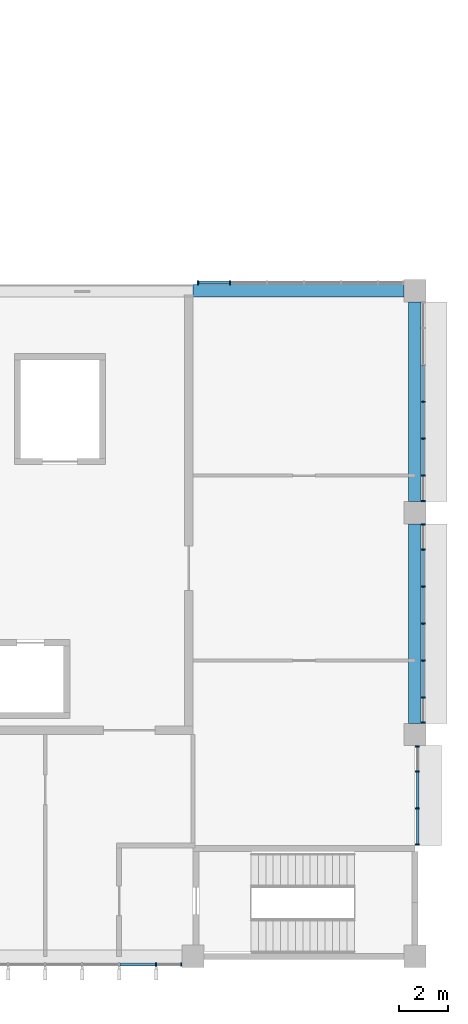
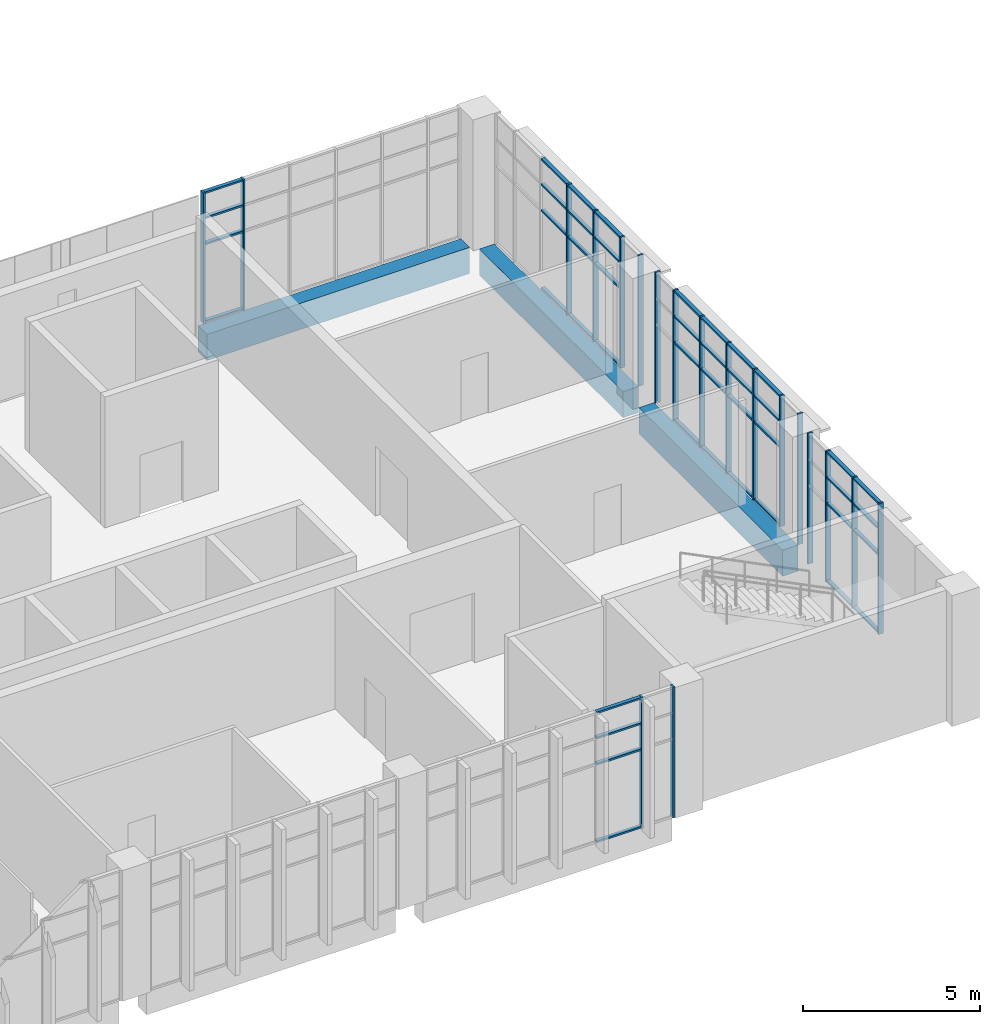
# One storey, part 36 of 79: 63 members, 3 beams, 5 elements without a shape of their own.
"""IFC4 building model written with IfcOpenShell, lengths in metres."""

import ifcopenshell
import ifcopenshell.guid

model = None  # the IFC model being written
_history = None  # IfcOwnerHistory: only IFC2X3 demands one
_inside = {}  # id of a spatial element -> (the spatial element, [elements in it])
_under = {}  # id of a project, library or spatial element -> (it, [spatial elements below it])
_declared = {}  # id of a project -> (the project, [libraries it declares])
_typed = {}  # id of a type object -> (the type object, [elements of that type])
_made_of = {}  # id of a material, layer set ... -> (it, [elements and type objects made of it])


def new_model(schema):
    """Start an empty IFC model of exactly this schema.

    Asked for "IFC4X3", IfcOpenShell would pick the latest addendum, in which some entities
    have other attributes; the version numbers below select the first issue.
    IFC2X3 requires an IfcOwnerHistory on every rooted entity: one is made here for all.
    """
    global model, _history
    if schema == "IFC4X3":
        model = ifcopenshell.file(schema_version=(4, 3, 0, 0))
    else:
        model = ifcopenshell.file(schema=schema)
    _inside.clear()
    _under.clear()
    _declared.clear()
    _typed.clear()
    _made_of.clear()
    _history = None
    if model.schema == "IFC2X3":
        org = make("IfcOrganization", Name="unknown")
        user = make(
            "IfcPersonAndOrganization",
            ThePerson=make("IfcPerson", FamilyName="unknown"),
            TheOrganization=org,
        )
        app = make(
            "IfcApplication",
            ApplicationDeveloper=org,
            Version="unknown",
            ApplicationFullName="unknown",
            ApplicationIdentifier="unknown",
        )
        _history = make(
            "IfcOwnerHistory",
            OwningUser=user,
            OwningApplication=app,
            ChangeAction="ADDED",
            CreationDate=0,
        )
    return model


def make(cls, **values):
    """One entity of the class cls with the attributes given. An attribute that is None is left unset."""
    return model.create_entity(
        cls, **{name: value for name, value in values.items() if value is not None}
    )


def rooted(cls, **values):
    """An entity with a GlobalId (a new one), such as an element, a storey or a relation."""
    return make(cls, GlobalId=ifcopenshell.guid.new(), OwnerHistory=_history, **values)


def si_unit(unit_type, name, prefix=None):
    """IfcSIUnit, for example si_unit("LENGTHUNIT", "METRE", prefix="MILLI")."""
    return make("IfcSIUnit", UnitType=unit_type, Prefix=prefix, Name=name)


def assignment(units):
    """IfcUnitAssignment: the units of a project."""
    return None if units is None else make("IfcUnitAssignment", Units=units)


def point(xyz):
    """IfcCartesianPoint."""
    return None if xyz is None else make("IfcCartesianPoint", Coordinates=xyz)


def direction(xyz):
    """IfcDirection."""
    return None if xyz is None else make("IfcDirection", DirectionRatios=xyz)


def frame(location, z_axis=None, x_axis=None):
    """IfcAxis2Placement3D, a coordinate frame: its origin and axes. An axis left out is left unset."""
    return make(
        "IfcAxis2Placement3D",
        Location=point(location),
        Axis=direction(z_axis),
        RefDirection=direction(x_axis),
    )


def frame_2d(location, x_axis=None):
    """IfcAxis2Placement2D, a coordinate frame in the plane: its origin and x axis."""
    return make(
        "IfcAxis2Placement2D", Location=point(location), RefDirection=direction(x_axis)
    )


def origin():
    """The frame at (0, 0, 0) with its axes left unset."""
    return frame((0.0, 0.0, 0.0))


def origin_2d():
    """The frame at (0, 0) in the plane with its x axis left unset."""
    return frame_2d((0.0, 0.0))


def place(relative_to, where):
    """IfcLocalPlacement: puts the frame where relative to a parent placement (None: the world)."""
    return make(
        "IfcLocalPlacement", PlacementRelTo=relative_to, RelativePlacement=where
    )


def context(
    kind, dimensions, precision=None, world=None, true_north=None, identifier=None
):
    """IfcGeometricRepresentationContext, for example the 3D "Model" context."""
    return make(
        "IfcGeometricRepresentationContext",
        ContextIdentifier=identifier,
        ContextType=kind,
        CoordinateSpaceDimension=dimensions,
        Precision=precision,
        WorldCoordinateSystem=world,
        TrueNorth=true_north,
    )


def subcontext(parent, identifier, kind, view, scale=None):
    """IfcGeometricRepresentationSubContext, for example "Body" below "Model"."""
    return make(
        "IfcGeometricRepresentationSubContext",
        ContextIdentifier=identifier,
        ContextType=kind,
        ParentContext=parent,
        TargetScale=scale,
        TargetView=view,
    )


def project(units=None, contexts=None):
    """IfcProject with its units and contexts."""
    return rooted(
        "IfcProject",
        Name="project",
        RepresentationContexts=contexts,
        UnitsInContext=assignment(units),
    )


def spatial(cls, under=None, at=None, **own):
    """A site, building, storey or space (cls), placed at a placement, below another one or the project."""
    s = rooted(cls, ObjectPlacement=at, **own)
    if under is not None:
        _under.setdefault(under.id(), (under, []))[1].append(s)
    return s


def profile(cls, at=None, kind="AREA", **sizes):
    """A parametric profile (cls). Its sizes go by their IFC names, for example OverallWidth=200.0."""
    return make(cls, ProfileType=kind, Position=at, **sizes)


def rectangle(**sizes):
    """IfcRectangleProfileDef."""
    return profile("IfcRectangleProfileDef", **sizes)


def extrude(swept, where, along, depth):
    """IfcExtrudedAreaSolid: the profile swept, set in the frame where, extruded along a direction by depth."""
    return make(
        "IfcExtrudedAreaSolid",
        SweptArea=swept,
        Position=where,
        ExtrudedDirection=direction(along),
        Depth=depth,
    )


def shape(context_of_items, identifier, shape_type, items):
    """IfcShapeRepresentation: the items that make up one representation, for example the "Body"."""
    return make(
        "IfcShapeRepresentation",
        ContextOfItems=context_of_items,
        RepresentationIdentifier=identifier,
        RepresentationType=shape_type,
        Items=items,
    )


def material(Name=None, Category=None):
    """IfcMaterial."""
    return make("IfcMaterial", Name=Name, Category=Category)


def layer(
    of_material, thickness, ventilated=None, Name=None, Category=None, Priority=None
):
    """IfcMaterialLayer: one layer of a wall or slab, of a material (None: an air gap)."""
    return make(
        "IfcMaterialLayer",
        Material=of_material,
        LayerThickness=thickness,
        IsVentilated=ventilated,
        Name=Name,
        Category=Category,
        Priority=Priority,
    )


def layer_set(layers, Name=None):
    """IfcMaterialLayerSet."""
    return make("IfcMaterialLayerSet", MaterialLayers=layers, LayerSetName=Name)


def material_profile(
    of_material, cross_section, Name=None, Category=None, Priority=None
):
    """IfcMaterialProfile: a cross section and its material."""
    return make(
        "IfcMaterialProfile",
        Name=Name,
        Material=of_material,
        Profile=cross_section,
        Priority=Priority,
        Category=Category,
    )


def profile_set(profiles, Name=None, composite=None):
    """IfcMaterialProfileSet."""
    return make(
        "IfcMaterialProfileSet",
        Name=Name,
        MaterialProfiles=profiles,
        CompositeProfile=composite,
    )


def made_of(thing, what):
    """Note that an element or type object is made of a material, layer set ...; save() writes the relation."""
    if what is not None:
        _made_of.setdefault(what.id(), (what, []))[1].append(thing)
    return thing


def type_object(cls, material=None, **own):
    """A type object (cls), such as IfcWallType, which elements share."""
    return made_of(rooted(cls, **own), material)


def element(
    cls,
    number,
    at=None,
    inside=None,
    cuts=None,
    type_object=None,
    material=None,
    context=None,
    identifier="Body",
    shape_type=None,
    held_by="IfcProductDefinitionShape",
    body=None,
    shapes=None,
    **own,
):
    """One element of the class cls, such as IfcWall. Its Tag is "e" and its number.

    at: its placement. inside: the storey or other place that contains it. cuts: it is an
    opening in that element (IfcRelVoidsElement). A single representation is given by context,
    identifier, shape_type and body (its items); several are given by shapes. held_by: the class
    of the entity that holds the representations. save() writes the other relations.
    """
    e = rooted(cls, Tag="e%d" % number, ObjectPlacement=at, **own)
    if body is not None:
        shapes = [shape(context, identifier, shape_type, body)]
    if shapes is not None:
        e.Representation = make(held_by, Representations=shapes)
    if inside is not None:
        _inside.setdefault(inside.id(), (inside, []))[1].append(e)
    if cuts is not None:
        rooted(
            "IfcRelVoidsElement", RelatingBuildingElement=cuts, RelatedOpeningElement=e
        )
    if type_object is not None:
        _typed.setdefault(type_object.id(), (type_object, []))[1].append(e)
    return made_of(e, material)


def aggregate(whole, parts):
    """IfcRelAggregates: a whole, such as a stair, and the parts it consists of."""
    return rooted("IfcRelAggregates", RelatingObject=whole, RelatedObjects=parts)


def save(model, path):
    """Write the relations noted so far, then the file.

    IfcRelAggregates (storeys below a building ...), IfcRelContainedInSpatialStructure (elements
    in a storey), IfcRelDefinesByType, IfcRelAssociatesMaterial and IfcRelDeclares: one each for
    every whole, place, type object, material and project.
    """
    for whole, parts in _under.values():
        aggregate(whole, parts)
    for where, things in _inside.values():
        rooted(
            "IfcRelContainedInSpatialStructure",
            RelatedElements=things,
            RelatingStructure=where,
        )
    for kind, things in _typed.values():
        rooted("IfcRelDefinesByType", RelatedObjects=things, RelatingType=kind)
    for what, things in _made_of.values():
        rooted("IfcRelAssociatesMaterial", RelatedObjects=things, RelatingMaterial=what)
    for by, libraries in _declared.values():
        rooted("IfcRelDeclares", RelatingContext=by, RelatedDefinitions=libraries)
    model.write(path)


model = new_model("IFC4")

# Units and contexts
model_context = context("Model", 3, precision=1e-05, world=origin(), true_north=direction((0.0, 1.0)))
body_context = subcontext(model_context, "Body", "Model", "MODEL_VIEW")
ifc_project = project(units=[si_unit("LENGTHUNIT", "METRE"), si_unit("AREAUNIT", "SQUARE_METRE"), si_unit("VOLUMEUNIT", "CUBIC_METRE"), si_unit("PLANEANGLEUNIT", "RADIAN"), si_unit("MASSUNIT", "GRAM", prefix="KILO")], contexts=[model_context])

# Site, building, storey
site_placement = place(None, origin())
site = spatial("IfcSite", under=ifc_project, at=site_placement, CompositionType="ELEMENT")
building_placement = place(site_placement, origin())
building = spatial("IfcBuilding", under=site, at=building_placement, Name="Guidao Yard Department Store", CompositionType="ELEMENT")
storey_placement = place(building_placement, frame((0.0, 0.0, 15.0)))
storey = spatial("IfcBuildingStorey", under=building, at=storey_placement, Name="L03", CompositionType="ELEMENT", Elevation=15.0)

# Curtain wall, members
ifc_material_1 = material(Name="Aluminium and glass", Category="aluminium")
ifc_layer = layer(ifc_material_1, 0.159912109375)
ifc_layer_set = layer_set([ifc_layer], Name="Unitised curtain wall CW4 1500 module")
curtain_wall_type = type_object("IfcCurtainWallType", Name="Unitised curtain wall CW4 1500 module", PredefinedType="NOTDEFINED", material=ifc_layer_set)
curtain_wall_1_placement = place(storey_placement, origin())
curtain_wall_1 = element("IfcCurtainWall", 1, at=curtain_wall_1_placement, inside=storey, type_object=curtain_wall_type, Name="Unitised curtain wall", PredefinedType="NOTDEFINED")
ifc_material_2 = material(Name="Aluminium 6063-T5", Category="aluminium")
ifc_material_profile_1 = material_profile(ifc_material_2, rectangle(XDim=0.06005859375, YDim=0.159912109375, at=origin_2d()), Name="Mullion M1 60 x 160 aluminium pressure plate")
ifc_profile_set_1 = profile_set([ifc_material_profile_1], Name="Aluminium 6063-T5")
member_type_1 = type_object("IfcMemberType", Name="Mullion M1 60 x 160 aluminium pressure plate", PredefinedType="MULLION", material=ifc_profile_set_1)
member_1_placement = place(storey_placement, frame((160.5, -0.330078125, 0.0), z_axis=(0.0, 0.0, 1.0), x_axis=(-1.0, 0.0, 0.0)))
member_1 = element("IfcMember", 2, at=member_1_placement, type_object=member_type_1, Name="CW-OW-L03-04 mullion 6", PredefinedType="MULLION", context=body_context, shape_type="SweptSolid", body=[
    extrude(rectangle(XDim=0.06005859375, YDim=0.159912109375, at=origin_2d()), origin(), (0.0, 0.0, 1.0), 4.5),
])
member_2_placement = place(storey_placement, frame((161.52001953125, -0.330078125, 0.0), z_axis=(0.0, 0.0, 1.0), x_axis=(-1.0, 0.0, 0.0)))
member_2 = element("IfcMember", 3, at=member_2_placement, type_object=member_type_1, Name="CW-OW-L03-04 mullion 7", PredefinedType="MULLION", context=body_context, shape_type="SweptSolid", body=[
    extrude(rectangle(XDim=0.06005859375, YDim=0.159912109375, at=origin_2d()), origin(), (0.0, 0.0, 1.0), 4.5),
])

curtain_wall_2_placement = place(storey_placement, origin())
curtain_wall_2 = element("IfcCurtainWall", 4, at=curtain_wall_2_placement, inside=storey, type_object=curtain_wall_type, Name="Unitised curtain wall", PredefinedType="NOTDEFINED")
member_3_placement = place(storey_placement, frame((162.205078125, 27.330078125, 0.0), z_axis=(0.0, 0.0, 1.0), x_axis=(1.0, 0.0, 0.0)))
member_3 = element("IfcMember", 5, at=member_3_placement, type_object=member_type_1, Name="CW-OW-L03-08 mullion 1", PredefinedType="MULLION", context=body_context, shape_type="SweptSolid", body=[
    extrude(rectangle(XDim=0.06005859375, YDim=0.159912109375, at=origin_2d()), origin(), (0.0, 0.0, 1.0), 4.5),
])
member_4_placement = place(storey_placement, frame((163.5, 27.330078125, 0.0), z_axis=(0.0, 0.0, 1.0), x_axis=(1.0, 0.0, 0.0)))
member_4 = element("IfcMember", 6, at=member_4_placement, type_object=member_type_1, Name="CW-OW-L03-08 mullion 2", PredefinedType="MULLION", context=body_context, shape_type="SweptSolid", body=[
    extrude(rectangle(XDim=0.06005859375, YDim=0.159912109375, at=origin_2d()), origin(), (0.0, 0.0, 1.0), 4.5),
])

curtain_wall_3_placement = place(storey_placement, origin())
curtain_wall_3 = element("IfcCurtainWall", 7, at=curtain_wall_3_placement, inside=storey, type_object=curtain_wall_type, Name="Unitised curtain wall", PredefinedType="NOTDEFINED")
member_5_placement = place(storey_placement, frame((171.10009765625, 4.530029296875, 0.0), z_axis=(0.0, 0.0, 1.0), x_axis=(0.0, -1.0, 0.0)))
member_5 = element("IfcMember", 8, at=member_5_placement, type_object=member_type_1, Name="CW-OW-L03-09 mullion 1", PredefinedType="MULLION", context=body_context, shape_type="SweptSolid", body=[
    extrude(rectangle(XDim=0.06005859375, YDim=0.159912109375, at=origin_2d()), origin(), (0.0, 0.0, 1.0), 4.5),
])
member_6_placement = place(storey_placement, frame((171.10009765625, 6.0, 0.0), z_axis=(0.0, 0.0, 1.0), x_axis=(0.0, -1.0, 0.0)))
member_6 = element("IfcMember", 9, at=member_6_placement, type_object=member_type_1, Name="CW-OW-L03-09 mullion 2", PredefinedType="MULLION", context=body_context, shape_type="SweptSolid", body=[
    extrude(rectangle(XDim=0.06005859375, YDim=0.159912109375, at=origin_2d()), origin(), (0.0, 0.0, 1.0), 4.5),
])
member_7_placement = place(storey_placement, frame((171.10009765625, 7.5, 0.0), z_axis=(0.0, 0.0, 1.0), x_axis=(0.0, -1.0, 0.0)))
member_7 = element("IfcMember", 10, at=member_7_placement, type_object=member_type_1, Name="CW-OW-L03-09 mullion 3", PredefinedType="MULLION", context=body_context, shape_type="SweptSolid", body=[
    extrude(rectangle(XDim=0.06005859375, YDim=0.159912109375, at=origin_2d()), origin(), (0.0, 0.0, 1.0), 4.5),
])
member_8_placement = place(storey_placement, frame((171.10009765625, 8.52001953125, 0.0), z_axis=(0.0, 0.0, 1.0), x_axis=(0.0, -1.0, 0.0)))
member_8 = element("IfcMember", 11, at=member_8_placement, type_object=member_type_1, Name="CW-OW-L03-09 mullion 4", PredefinedType="MULLION", context=body_context, shape_type="SweptSolid", body=[
    extrude(rectangle(XDim=0.06005859375, YDim=0.159912109375, at=origin_2d()), origin(), (0.0, 0.0, 1.0), 4.5),
])

curtain_wall_4_placement = place(storey_placement, origin())
curtain_wall_4 = element("IfcCurtainWall", 12, at=curtain_wall_4_placement, inside=storey, type_object=curtain_wall_type, Name="Unitised curtain wall", PredefinedType="NOTDEFINED")
member_9_placement = place(storey_placement, frame((171.330078125, 9.47998046875, 0.0), z_axis=(0.0, 0.0, 1.0), x_axis=(0.0, -1.0, 0.0)))
member_9 = element("IfcMember", 13, at=member_9_placement, type_object=member_type_1, Name="CW-OW-L03-10 mullion 1", PredefinedType="MULLION", context=body_context, shape_type="SweptSolid", body=[
    extrude(rectangle(XDim=0.06005859375, YDim=0.159912109375, at=origin_2d()), origin(), (0.0, 0.0, 1.0), 4.5),
])
member_10_placement = place(storey_placement, frame((171.330078125, 10.5, 0.0), z_axis=(0.0, 0.0, 1.0), x_axis=(0.0, -1.0, 0.0)))
member_10 = element("IfcMember", 14, at=member_10_placement, type_object=member_type_1, Name="CW-OW-L03-10 mullion 2", PredefinedType="MULLION", context=body_context, shape_type="SweptSolid", body=[
    extrude(rectangle(XDim=0.06005859375, YDim=0.159912109375, at=origin_2d()), origin(), (0.0, 0.0, 1.0), 4.5),
])
member_11_placement = place(storey_placement, frame((171.330078125, 12.0, 0.0), z_axis=(0.0, 0.0, 1.0), x_axis=(0.0, -1.0, 0.0)))
member_11 = element("IfcMember", 15, at=member_11_placement, type_object=member_type_1, Name="CW-OW-L03-10 mullion 3", PredefinedType="MULLION", context=body_context, shape_type="SweptSolid", body=[
    extrude(rectangle(XDim=0.06005859375, YDim=0.159912109375, at=origin_2d()), origin(), (0.0, 0.0, 1.0), 4.5),
])
member_12_placement = place(storey_placement, frame((171.330078125, 13.5, 0.0), z_axis=(0.0, 0.0, 1.0), x_axis=(0.0, -1.0, 0.0)))
member_12 = element("IfcMember", 16, at=member_12_placement, type_object=member_type_1, Name="CW-OW-L03-10 mullion 4", PredefinedType="MULLION", context=body_context, shape_type="SweptSolid", body=[
    extrude(rectangle(XDim=0.06005859375, YDim=0.159912109375, at=origin_2d()), origin(), (0.0, 0.0, 1.0), 4.5),
])
member_13_placement = place(storey_placement, frame((171.330078125, 15.0, 0.0), z_axis=(0.0, 0.0, 1.0), x_axis=(0.0, -1.0, 0.0)))
member_13 = element("IfcMember", 17, at=member_13_placement, type_object=member_type_1, Name="CW-OW-L03-10 mullion 5", PredefinedType="MULLION", context=body_context, shape_type="SweptSolid", body=[
    extrude(rectangle(XDim=0.06005859375, YDim=0.159912109375, at=origin_2d()), origin(), (0.0, 0.0, 1.0), 4.5),
])
member_14_placement = place(storey_placement, frame((171.330078125, 16.5, 0.0), z_axis=(0.0, 0.0, 1.0), x_axis=(0.0, -1.0, 0.0)))
member_14 = element("IfcMember", 18, at=member_14_placement, type_object=member_type_1, Name="CW-OW-L03-10 mullion 6", PredefinedType="MULLION", context=body_context, shape_type="SweptSolid", body=[
    extrude(rectangle(XDim=0.06005859375, YDim=0.159912109375, at=origin_2d()), origin(), (0.0, 0.0, 1.0), 4.5),
])
member_15_placement = place(storey_placement, frame((171.330078125, 17.52001953125, 0.0), z_axis=(0.0, 0.0, 1.0), x_axis=(0.0, -1.0, 0.0)))
member_15 = element("IfcMember", 19, at=member_15_placement, type_object=member_type_1, Name="CW-OW-L03-10 mullion 7", PredefinedType="MULLION", context=body_context, shape_type="SweptSolid", body=[
    extrude(rectangle(XDim=0.06005859375, YDim=0.159912109375, at=origin_2d()), origin(), (0.0, 0.0, 1.0), 4.5),
])

curtain_wall_5_placement = place(storey_placement, origin())
curtain_wall_5 = element("IfcCurtainWall", 20, at=curtain_wall_5_placement, inside=storey, type_object=curtain_wall_type, Name="Unitised curtain wall", PredefinedType="NOTDEFINED")
member_16_placement = place(storey_placement, frame((171.330078125, 18.47998046875, 0.0), z_axis=(0.0, 0.0, 1.0), x_axis=(0.0, -1.0, 0.0)))
member_16 = element("IfcMember", 21, at=member_16_placement, type_object=member_type_1, Name="CW-OW-L03-11 mullion 1", PredefinedType="MULLION", context=body_context, shape_type="SweptSolid", body=[
    extrude(rectangle(XDim=0.06005859375, YDim=0.159912109375, at=origin_2d()), origin(), (0.0, 0.0, 1.0), 4.5),
])
member_17_placement = place(storey_placement, frame((171.330078125, 19.5, 0.0), z_axis=(0.0, 0.0, 1.0), x_axis=(0.0, -1.0, 0.0)))
member_17 = element("IfcMember", 22, at=member_17_placement, type_object=member_type_1, Name="CW-OW-L03-11 mullion 2", PredefinedType="MULLION", context=body_context, shape_type="SweptSolid", body=[
    extrude(rectangle(XDim=0.06005859375, YDim=0.159912109375, at=origin_2d()), origin(), (0.0, 0.0, 1.0), 4.5),
])
member_18_placement = place(storey_placement, frame((171.330078125, 21.0, 0.0), z_axis=(0.0, 0.0, 1.0), x_axis=(0.0, -1.0, 0.0)))
member_18 = element("IfcMember", 23, at=member_18_placement, type_object=member_type_1, Name="CW-OW-L03-11 mullion 3", PredefinedType="MULLION", context=body_context, shape_type="SweptSolid", body=[
    extrude(rectangle(XDim=0.06005859375, YDim=0.159912109375, at=origin_2d()), origin(), (0.0, 0.0, 1.0), 4.5),
])
member_19_placement = place(storey_placement, frame((171.330078125, 22.5, 0.0), z_axis=(0.0, 0.0, 1.0), x_axis=(0.0, -1.0, 0.0)))
member_19 = element("IfcMember", 24, at=member_19_placement, type_object=member_type_1, Name="CW-OW-L03-11 mullion 4", PredefinedType="MULLION", context=body_context, shape_type="SweptSolid", body=[
    extrude(rectangle(XDim=0.06005859375, YDim=0.159912109375, at=origin_2d()), origin(), (0.0, 0.0, 1.0), 4.5),
])

# Beams
ifc_material_3 = material(Name="Concrete C40", Category="concrete")
ifc_material_profile_2 = material_profile(ifc_material_3, rectangle(XDim=0.5, YDim=0.89990234375, at=origin_2d()), Name="Spandrel beam 500 x 900 C40")
ifc_profile_set_2 = profile_set([ifc_material_profile_2], Name="Concrete C40")
beam_type = type_object("IfcBeamType", Name="Spandrel beam 500 x 900 C40", PredefinedType="SPANDREL", material=ifc_profile_set_2)
beam_placement = place(storey_placement, frame((162.0, 27.0, -0.449951171875), z_axis=(1.0, 0.0, 0.0), x_axis=(0.0, 1.0, 0.0)))
element("IfcBeam", 25, at=beam_placement, inside=storey, type_object=beam_type, Name="Beam FB08", PredefinedType="SPANDREL", context=body_context, shape_type="SweptSolid", body=[
    extrude(rectangle(XDim=0.5, YDim=0.89990234375, at=origin_2d()), origin(), (0.0, 0.0, 1.0), 8.550048828125),
])
for number, where, z_axis, x_axis, name in (
    (26, (171.0, 9.449951171875, -0.449951171875), (0.0, 1.0, 0.0), (-1.0, 0.0, 0.0), "Beam FB09"),
    (27, (171.0, 18.449951171875, -0.449951171875), (0.0, 1.0, 0.0), (-1.0, 0.0, 0.0), "Beam FB10"),
):
    element("IfcBeam", number, at=place(storey_placement, frame(where, z_axis=z_axis, x_axis=x_axis)), inside=storey, type_object=beam_type, Name=name, PredefinedType="SPANDREL", context=body_context, shape_type="SweptSolid", body=[
        extrude(rectangle(XDim=0.5, YDim=0.89990234375, at=origin_2d()), origin(), (0.0, 0.0, 1.0), 8.10009765625),
    ])

# Member
ifc_material_4 = material(Name="Aluminium 6063-T5", Category="aluminium")
ifc_material_profile_3 = material_profile(ifc_material_4, rectangle(XDim=0.1201171875, YDim=0.06005859375, at=origin_2d()), Name="Transom T1 60 x 120 aluminium pressure plate")
ifc_profile_set_3 = profile_set([ifc_material_profile_3], Name="Aluminium 6063-T5")
member_type_2 = type_object("IfcMemberType", Name="Transom T1 60 x 120 aluminium pressure plate", PredefinedType="USERDEFINED", material=ifc_profile_set_3)
member_20_placement = place(storey_placement, frame((160.469970703125, -0.330078125, 0.030029296875), z_axis=(-1.0, 0.0, 0.0), x_axis=(0.0, -1.0, 0.0)))
member_20 = element("IfcMember", 28, at=member_20_placement, type_object=member_type_2, Name="CW-OW-L03-04 transom 5.1", ObjectType="TRANSOM", PredefinedType="USERDEFINED", context=body_context, shape_type="SweptSolid", body=[
    extrude(rectangle(XDim=0.1201171875, YDim=0.06005859375, at=origin_2d()), origin(), (0.0, 0.0, 1.0), 1.43994140625),
])

member_21_placement = place(storey_placement, frame((160.469970703125, -0.330078125, 2.699951171875), z_axis=(-1.0, 0.0, 0.0), x_axis=(0.0, -1.0, 0.0)))
member_21 = element("IfcMember", 29, at=member_21_placement, type_object=member_type_2, Name="CW-OW-L03-04 transom 5.2", ObjectType="TRANSOM", PredefinedType="USERDEFINED", context=body_context, shape_type="SweptSolid", body=[
    extrude(rectangle(XDim=0.1201171875, YDim=0.06005859375, at=origin_2d()), origin(), (0.0, 0.0, 1.0), 1.43994140625),
])

member_22_placement = place(storey_placement, frame((160.469970703125, -0.330078125, 3.60009765625), z_axis=(-1.0, 0.0, 0.0), x_axis=(0.0, -1.0, 0.0)))
member_22 = element("IfcMember", 30, at=member_22_placement, type_object=member_type_2, Name="CW-OW-L03-04 transom 5.3", ObjectType="TRANSOM", PredefinedType="USERDEFINED", context=body_context, shape_type="SweptSolid", body=[
    extrude(rectangle(XDim=0.1201171875, YDim=0.06005859375, at=origin_2d()), origin(), (0.0, 0.0, 1.0), 1.43994140625),
])

member_23_placement = place(storey_placement, frame((160.469970703125, -0.330078125, 4.469970703125), z_axis=(-1.0, 0.0, 0.0), x_axis=(0.0, -1.0, 0.0)))
member_23 = element("IfcMember", 31, at=member_23_placement, type_object=member_type_2, Name="CW-OW-L03-04 transom 5.4", ObjectType="TRANSOM", PredefinedType="USERDEFINED", context=body_context, shape_type="SweptSolid", body=[
    extrude(rectangle(XDim=0.1201171875, YDim=0.06005859375, at=origin_2d()), origin(), (0.0, 0.0, 1.0), 1.43994140625),
])

aggregate(curtain_wall_1, [member_1, member_2, member_20, member_21, member_22, member_23])

member_24_placement = place(storey_placement, frame((162.235107421875, 27.330078125, 0.030029296875), z_axis=(1.0, 0.0, 0.0), x_axis=(0.0, 1.0, 0.0)))
member_24 = element("IfcMember", 32, at=member_24_placement, type_object=member_type_2, Name="CW-OW-L03-08 transom 1.1", ObjectType="TRANSOM", PredefinedType="USERDEFINED", context=body_context, shape_type="SweptSolid", body=[
    extrude(rectangle(XDim=0.1201171875, YDim=0.06005859375, at=origin_2d()), origin(), (0.0, 0.0, 1.0), 1.23486328125),
])

member_25_placement = place(storey_placement, frame((162.235107421875, 27.330078125, 2.699951171875), z_axis=(1.0, 0.0, 0.0), x_axis=(0.0, 1.0, 0.0)))
member_25 = element("IfcMember", 33, at=member_25_placement, type_object=member_type_2, Name="CW-OW-L03-08 transom 1.2", ObjectType="TRANSOM", PredefinedType="USERDEFINED", context=body_context, shape_type="SweptSolid", body=[
    extrude(rectangle(XDim=0.1201171875, YDim=0.06005859375, at=origin_2d()), origin(), (0.0, 0.0, 1.0), 1.23486328125),
])

member_26_placement = place(storey_placement, frame((162.235107421875, 27.330078125, 3.60009765625), z_axis=(1.0, 0.0, 0.0), x_axis=(0.0, 1.0, 0.0)))
member_26 = element("IfcMember", 34, at=member_26_placement, type_object=member_type_2, Name="CW-OW-L03-08 transom 1.3", ObjectType="TRANSOM", PredefinedType="USERDEFINED", context=body_context, shape_type="SweptSolid", body=[
    extrude(rectangle(XDim=0.1201171875, YDim=0.06005859375, at=origin_2d()), origin(), (0.0, 0.0, 1.0), 1.23486328125),
])

member_27_placement = place(storey_placement, frame((162.235107421875, 27.330078125, 4.469970703125), z_axis=(1.0, 0.0, 0.0), x_axis=(0.0, 1.0, 0.0)))
member_27 = element("IfcMember", 35, at=member_27_placement, type_object=member_type_2, Name="CW-OW-L03-08 transom 1.4", ObjectType="TRANSOM", PredefinedType="USERDEFINED", context=body_context, shape_type="SweptSolid", body=[
    extrude(rectangle(XDim=0.1201171875, YDim=0.06005859375, at=origin_2d()), origin(), (0.0, 0.0, 1.0), 1.23486328125),
])

aggregate(curtain_wall_2, [member_3, member_4, member_24, member_25, member_26, member_27])

member_28_placement = place(storey_placement, frame((171.10009765625, 5.969970703125, 0.030029296875), z_axis=(0.0, -1.0, 0.0), x_axis=(1.0, 0.0, 0.0)))
member_28 = element("IfcMember", 36, at=member_28_placement, type_object=member_type_2, Name="CW-OW-L03-09 transom 1.1", ObjectType="TRANSOM", PredefinedType="USERDEFINED", context=body_context, shape_type="SweptSolid", body=[
    extrude(rectangle(XDim=0.1201171875, YDim=0.06005859375, at=origin_2d()), origin(), (0.0, 0.0, 1.0), 1.409912109375),
])

member_29_placement = place(storey_placement, frame((171.10009765625, 5.969970703125, 2.699951171875), z_axis=(0.0, -1.0, 0.0), x_axis=(1.0, 0.0, 0.0)))
member_29 = element("IfcMember", 37, at=member_29_placement, type_object=member_type_2, Name="CW-OW-L03-09 transom 1.2", ObjectType="TRANSOM", PredefinedType="USERDEFINED", context=body_context, shape_type="SweptSolid", body=[
    extrude(rectangle(XDim=0.1201171875, YDim=0.06005859375, at=origin_2d()), origin(), (0.0, 0.0, 1.0), 1.409912109375),
])

member_30_placement = place(storey_placement, frame((171.10009765625, 5.969970703125, 3.60009765625), z_axis=(0.0, -1.0, 0.0), x_axis=(1.0, 0.0, 0.0)))
member_30 = element("IfcMember", 38, at=member_30_placement, type_object=member_type_2, Name="CW-OW-L03-09 transom 1.3", ObjectType="TRANSOM", PredefinedType="USERDEFINED", context=body_context, shape_type="SweptSolid", body=[
    extrude(rectangle(XDim=0.1201171875, YDim=0.06005859375, at=origin_2d()), origin(), (0.0, 0.0, 1.0), 1.409912109375),
])

member_31_placement = place(storey_placement, frame((171.10009765625, 5.969970703125, 4.469970703125), z_axis=(0.0, -1.0, 0.0), x_axis=(1.0, 0.0, 0.0)))
member_31 = element("IfcMember", 39, at=member_31_placement, type_object=member_type_2, Name="CW-OW-L03-09 transom 1.4", ObjectType="TRANSOM", PredefinedType="USERDEFINED", context=body_context, shape_type="SweptSolid", body=[
    extrude(rectangle(XDim=0.1201171875, YDim=0.06005859375, at=origin_2d()), origin(), (0.0, 0.0, 1.0), 1.409912109375),
])

member_32_placement = place(storey_placement, frame((171.10009765625, 7.469970703125, 0.030029296875), z_axis=(0.0, -1.0, 0.0), x_axis=(1.0, 0.0, 0.0)))
member_32 = element("IfcMember", 40, at=member_32_placement, type_object=member_type_2, Name="CW-OW-L03-09 transom 2.1", ObjectType="TRANSOM", PredefinedType="USERDEFINED", context=body_context, shape_type="SweptSolid", body=[
    extrude(rectangle(XDim=0.1201171875, YDim=0.06005859375, at=origin_2d()), origin(), (0.0, 0.0, 1.0), 1.43994140625),
])

member_33_placement = place(storey_placement, frame((171.10009765625, 7.469970703125, 2.699951171875), z_axis=(0.0, -1.0, 0.0), x_axis=(1.0, 0.0, 0.0)))
member_33 = element("IfcMember", 41, at=member_33_placement, type_object=member_type_2, Name="CW-OW-L03-09 transom 2.2", ObjectType="TRANSOM", PredefinedType="USERDEFINED", context=body_context, shape_type="SweptSolid", body=[
    extrude(rectangle(XDim=0.1201171875, YDim=0.06005859375, at=origin_2d()), origin(), (0.0, 0.0, 1.0), 1.43994140625),
])

member_34_placement = place(storey_placement, frame((171.10009765625, 7.469970703125, 3.60009765625), z_axis=(0.0, -1.0, 0.0), x_axis=(1.0, 0.0, 0.0)))
member_34 = element("IfcMember", 42, at=member_34_placement, type_object=member_type_2, Name="CW-OW-L03-09 transom 2.3", ObjectType="TRANSOM", PredefinedType="USERDEFINED", context=body_context, shape_type="SweptSolid", body=[
    extrude(rectangle(XDim=0.1201171875, YDim=0.06005859375, at=origin_2d()), origin(), (0.0, 0.0, 1.0), 1.43994140625),
])

member_35_placement = place(storey_placement, frame((171.10009765625, 7.469970703125, 4.469970703125), z_axis=(0.0, -1.0, 0.0), x_axis=(1.0, 0.0, 0.0)))
member_35 = element("IfcMember", 43, at=member_35_placement, type_object=member_type_2, Name="CW-OW-L03-09 transom 2.4", ObjectType="TRANSOM", PredefinedType="USERDEFINED", context=body_context, shape_type="SweptSolid", body=[
    extrude(rectangle(XDim=0.1201171875, YDim=0.06005859375, at=origin_2d()), origin(), (0.0, 0.0, 1.0), 1.43994140625),
])

aggregate(curtain_wall_3, [member_5, member_6, member_7, member_8, member_28, member_29, member_30, member_31, member_32, member_33, member_34, member_35])

member_36_placement = place(storey_placement, frame((171.330078125, 11.969970703125, 0.030029296875), z_axis=(0.0, -1.0, 0.0), x_axis=(1.0, 0.0, 0.0)))
member_36 = element("IfcMember", 44, at=member_36_placement, type_object=member_type_2, Name="CW-OW-L03-10 transom 2.1", ObjectType="TRANSOM", PredefinedType="USERDEFINED", context=body_context, shape_type="SweptSolid", body=[
    extrude(rectangle(XDim=0.1201171875, YDim=0.06005859375, at=origin_2d()), origin(), (0.0, 0.0, 1.0), 1.43994140625),
])

member_37_placement = place(storey_placement, frame((171.330078125, 11.969970703125, 2.699951171875), z_axis=(0.0, -1.0, 0.0), x_axis=(1.0, 0.0, 0.0)))
member_37 = element("IfcMember", 45, at=member_37_placement, type_object=member_type_2, Name="CW-OW-L03-10 transom 2.2", ObjectType="TRANSOM", PredefinedType="USERDEFINED", context=body_context, shape_type="SweptSolid", body=[
    extrude(rectangle(XDim=0.1201171875, YDim=0.06005859375, at=origin_2d()), origin(), (0.0, 0.0, 1.0), 1.43994140625),
])

member_38_placement = place(storey_placement, frame((171.330078125, 11.969970703125, 3.60009765625), z_axis=(0.0, -1.0, 0.0), x_axis=(1.0, 0.0, 0.0)))
member_38 = element("IfcMember", 46, at=member_38_placement, type_object=member_type_2, Name="CW-OW-L03-10 transom 2.3", ObjectType="TRANSOM", PredefinedType="USERDEFINED", context=body_context, shape_type="SweptSolid", body=[
    extrude(rectangle(XDim=0.1201171875, YDim=0.06005859375, at=origin_2d()), origin(), (0.0, 0.0, 1.0), 1.43994140625),
])

member_39_placement = place(storey_placement, frame((171.330078125, 11.969970703125, 4.469970703125), z_axis=(0.0, -1.0, 0.0), x_axis=(1.0, 0.0, 0.0)))
member_39 = element("IfcMember", 47, at=member_39_placement, type_object=member_type_2, Name="CW-OW-L03-10 transom 2.4", ObjectType="TRANSOM", PredefinedType="USERDEFINED", context=body_context, shape_type="SweptSolid", body=[
    extrude(rectangle(XDim=0.1201171875, YDim=0.06005859375, at=origin_2d()), origin(), (0.0, 0.0, 1.0), 1.43994140625),
])

member_40_placement = place(storey_placement, frame((171.330078125, 13.469970703125, 0.030029296875), z_axis=(0.0, -1.0, 0.0), x_axis=(1.0, 0.0, 0.0)))
member_40 = element("IfcMember", 48, at=member_40_placement, type_object=member_type_2, Name="CW-OW-L03-10 transom 3.1", ObjectType="TRANSOM", PredefinedType="USERDEFINED", context=body_context, shape_type="SweptSolid", body=[
    extrude(rectangle(XDim=0.1201171875, YDim=0.06005859375, at=origin_2d()), origin(), (0.0, 0.0, 1.0), 1.43994140625),
])

member_41_placement = place(storey_placement, frame((171.330078125, 13.469970703125, 2.699951171875), z_axis=(0.0, -1.0, 0.0), x_axis=(1.0, 0.0, 0.0)))
member_41 = element("IfcMember", 49, at=member_41_placement, type_object=member_type_2, Name="CW-OW-L03-10 transom 3.2", ObjectType="TRANSOM", PredefinedType="USERDEFINED", context=body_context, shape_type="SweptSolid", body=[
    extrude(rectangle(XDim=0.1201171875, YDim=0.06005859375, at=origin_2d()), origin(), (0.0, 0.0, 1.0), 1.43994140625),
])

member_42_placement = place(storey_placement, frame((171.330078125, 13.469970703125, 3.60009765625), z_axis=(0.0, -1.0, 0.0), x_axis=(1.0, 0.0, 0.0)))
member_42 = element("IfcMember", 50, at=member_42_placement, type_object=member_type_2, Name="CW-OW-L03-10 transom 3.3", ObjectType="TRANSOM", PredefinedType="USERDEFINED", context=body_context, shape_type="SweptSolid", body=[
    extrude(rectangle(XDim=0.1201171875, YDim=0.06005859375, at=origin_2d()), origin(), (0.0, 0.0, 1.0), 1.43994140625),
])

member_43_placement = place(storey_placement, frame((171.330078125, 13.469970703125, 4.469970703125), z_axis=(0.0, -1.0, 0.0), x_axis=(1.0, 0.0, 0.0)))
member_43 = element("IfcMember", 51, at=member_43_placement, type_object=member_type_2, Name="CW-OW-L03-10 transom 3.4", ObjectType="TRANSOM", PredefinedType="USERDEFINED", context=body_context, shape_type="SweptSolid", body=[
    extrude(rectangle(XDim=0.1201171875, YDim=0.06005859375, at=origin_2d()), origin(), (0.0, 0.0, 1.0), 1.43994140625),
])

member_44_placement = place(storey_placement, frame((171.330078125, 14.969970703125, 0.030029296875), z_axis=(0.0, -1.0, 0.0), x_axis=(1.0, 0.0, 0.0)))
member_44 = element("IfcMember", 52, at=member_44_placement, type_object=member_type_2, Name="CW-OW-L03-10 transom 4.1", ObjectType="TRANSOM", PredefinedType="USERDEFINED", context=body_context, shape_type="SweptSolid", body=[
    extrude(rectangle(XDim=0.1201171875, YDim=0.06005859375, at=origin_2d()), origin(), (0.0, 0.0, 1.0), 1.43994140625),
])

member_45_placement = place(storey_placement, frame((171.330078125, 14.969970703125, 2.699951171875), z_axis=(0.0, -1.0, 0.0), x_axis=(1.0, 0.0, 0.0)))
member_45 = element("IfcMember", 53, at=member_45_placement, type_object=member_type_2, Name="CW-OW-L03-10 transom 4.2", ObjectType="TRANSOM", PredefinedType="USERDEFINED", context=body_context, shape_type="SweptSolid", body=[
    extrude(rectangle(XDim=0.1201171875, YDim=0.06005859375, at=origin_2d()), origin(), (0.0, 0.0, 1.0), 1.43994140625),
])

member_46_placement = place(storey_placement, frame((171.330078125, 14.969970703125, 3.60009765625), z_axis=(0.0, -1.0, 0.0), x_axis=(1.0, 0.0, 0.0)))
member_46 = element("IfcMember", 54, at=member_46_placement, type_object=member_type_2, Name="CW-OW-L03-10 transom 4.3", ObjectType="TRANSOM", PredefinedType="USERDEFINED", context=body_context, shape_type="SweptSolid", body=[
    extrude(rectangle(XDim=0.1201171875, YDim=0.06005859375, at=origin_2d()), origin(), (0.0, 0.0, 1.0), 1.43994140625),
])

member_47_placement = place(storey_placement, frame((171.330078125, 14.969970703125, 4.469970703125), z_axis=(0.0, -1.0, 0.0), x_axis=(1.0, 0.0, 0.0)))
member_47 = element("IfcMember", 55, at=member_47_placement, type_object=member_type_2, Name="CW-OW-L03-10 transom 4.4", ObjectType="TRANSOM", PredefinedType="USERDEFINED", context=body_context, shape_type="SweptSolid", body=[
    extrude(rectangle(XDim=0.1201171875, YDim=0.06005859375, at=origin_2d()), origin(), (0.0, 0.0, 1.0), 1.43994140625),
])

member_48_placement = place(storey_placement, frame((171.330078125, 16.469970703125, 0.030029296875), z_axis=(0.0, -1.0, 0.0), x_axis=(1.0, 0.0, 0.0)))
member_48 = element("IfcMember", 56, at=member_48_placement, type_object=member_type_2, Name="CW-OW-L03-10 transom 5.1", ObjectType="TRANSOM", PredefinedType="USERDEFINED", context=body_context, shape_type="SweptSolid", body=[
    extrude(rectangle(XDim=0.1201171875, YDim=0.06005859375, at=origin_2d()), origin(), (0.0, 0.0, 1.0), 1.43994140625),
])

member_49_placement = place(storey_placement, frame((171.330078125, 16.469970703125, 2.699951171875), z_axis=(0.0, -1.0, 0.0), x_axis=(1.0, 0.0, 0.0)))
member_49 = element("IfcMember", 57, at=member_49_placement, type_object=member_type_2, Name="CW-OW-L03-10 transom 5.2", ObjectType="TRANSOM", PredefinedType="USERDEFINED", context=body_context, shape_type="SweptSolid", body=[
    extrude(rectangle(XDim=0.1201171875, YDim=0.06005859375, at=origin_2d()), origin(), (0.0, 0.0, 1.0), 1.43994140625),
])

member_50_placement = place(storey_placement, frame((171.330078125, 16.469970703125, 3.60009765625), z_axis=(0.0, -1.0, 0.0), x_axis=(1.0, 0.0, 0.0)))
member_50 = element("IfcMember", 58, at=member_50_placement, type_object=member_type_2, Name="CW-OW-L03-10 transom 5.3", ObjectType="TRANSOM", PredefinedType="USERDEFINED", context=body_context, shape_type="SweptSolid", body=[
    extrude(rectangle(XDim=0.1201171875, YDim=0.06005859375, at=origin_2d()), origin(), (0.0, 0.0, 1.0), 1.43994140625),
])

member_51_placement = place(storey_placement, frame((171.330078125, 16.469970703125, 4.469970703125), z_axis=(0.0, -1.0, 0.0), x_axis=(1.0, 0.0, 0.0)))
member_51 = element("IfcMember", 59, at=member_51_placement, type_object=member_type_2, Name="CW-OW-L03-10 transom 5.4", ObjectType="TRANSOM", PredefinedType="USERDEFINED", context=body_context, shape_type="SweptSolid", body=[
    extrude(rectangle(XDim=0.1201171875, YDim=0.06005859375, at=origin_2d()), origin(), (0.0, 0.0, 1.0), 1.43994140625),
])

aggregate(curtain_wall_4, [member_9, member_10, member_11, member_12, member_13, member_14, member_15, member_36, member_37, member_38, member_39, member_40, member_41, member_42, member_43, member_44, member_45, member_46, member_47, member_48, member_49, member_50, member_51])

member_52_placement = place(storey_placement, frame((171.330078125, 20.969970703125, 0.030029296875), z_axis=(0.0, -1.0, 0.0), x_axis=(1.0, 0.0, 0.0)))
member_52 = element("IfcMember", 60, at=member_52_placement, type_object=member_type_2, Name="CW-OW-L03-11 transom 2.1", ObjectType="TRANSOM", PredefinedType="USERDEFINED", context=body_context, shape_type="SweptSolid", body=[
    extrude(rectangle(XDim=0.1201171875, YDim=0.06005859375, at=origin_2d()), origin(), (0.0, 0.0, 1.0), 1.43994140625),
])

member_53_placement = place(storey_placement, frame((171.330078125, 20.969970703125, 2.699951171875), z_axis=(0.0, -1.0, 0.0), x_axis=(1.0, 0.0, 0.0)))
member_53 = element("IfcMember", 61, at=member_53_placement, type_object=member_type_2, Name="CW-OW-L03-11 transom 2.2", ObjectType="TRANSOM", PredefinedType="USERDEFINED", context=body_context, shape_type="SweptSolid", body=[
    extrude(rectangle(XDim=0.1201171875, YDim=0.06005859375, at=origin_2d()), origin(), (0.0, 0.0, 1.0), 1.43994140625),
])

member_54_placement = place(storey_placement, frame((171.330078125, 20.969970703125, 3.60009765625), z_axis=(0.0, -1.0, 0.0), x_axis=(1.0, 0.0, 0.0)))
member_54 = element("IfcMember", 62, at=member_54_placement, type_object=member_type_2, Name="CW-OW-L03-11 transom 2.3", ObjectType="TRANSOM", PredefinedType="USERDEFINED", context=body_context, shape_type="SweptSolid", body=[
    extrude(rectangle(XDim=0.1201171875, YDim=0.06005859375, at=origin_2d()), origin(), (0.0, 0.0, 1.0), 1.43994140625),
])

member_55_placement = place(storey_placement, frame((171.330078125, 20.969970703125, 4.469970703125), z_axis=(0.0, -1.0, 0.0), x_axis=(1.0, 0.0, 0.0)))
member_55 = element("IfcMember", 63, at=member_55_placement, type_object=member_type_2, Name="CW-OW-L03-11 transom 2.4", ObjectType="TRANSOM", PredefinedType="USERDEFINED", context=body_context, shape_type="SweptSolid", body=[
    extrude(rectangle(XDim=0.1201171875, YDim=0.06005859375, at=origin_2d()), origin(), (0.0, 0.0, 1.0), 1.43994140625),
])

member_56_placement = place(storey_placement, frame((171.330078125, 22.469970703125, 0.030029296875), z_axis=(0.0, -1.0, 0.0), x_axis=(1.0, 0.0, 0.0)))
member_56 = element("IfcMember", 64, at=member_56_placement, type_object=member_type_2, Name="CW-OW-L03-11 transom 3.1", ObjectType="TRANSOM", PredefinedType="USERDEFINED", context=body_context, shape_type="SweptSolid", body=[
    extrude(rectangle(XDim=0.1201171875, YDim=0.06005859375, at=origin_2d()), origin(), (0.0, 0.0, 1.0), 1.43994140625),
])

member_57_placement = place(storey_placement, frame((171.330078125, 22.469970703125, 2.699951171875), z_axis=(0.0, -1.0, 0.0), x_axis=(1.0, 0.0, 0.0)))
member_57 = element("IfcMember", 65, at=member_57_placement, type_object=member_type_2, Name="CW-OW-L03-11 transom 3.2", ObjectType="TRANSOM", PredefinedType="USERDEFINED", context=body_context, shape_type="SweptSolid", body=[
    extrude(rectangle(XDim=0.1201171875, YDim=0.06005859375, at=origin_2d()), origin(), (0.0, 0.0, 1.0), 1.43994140625),
])

member_58_placement = place(storey_placement, frame((171.330078125, 22.469970703125, 3.60009765625), z_axis=(0.0, -1.0, 0.0), x_axis=(1.0, 0.0, 0.0)))
member_58 = element("IfcMember", 66, at=member_58_placement, type_object=member_type_2, Name="CW-OW-L03-11 transom 3.3", ObjectType="TRANSOM", PredefinedType="USERDEFINED", context=body_context, shape_type="SweptSolid", body=[
    extrude(rectangle(XDim=0.1201171875, YDim=0.06005859375, at=origin_2d()), origin(), (0.0, 0.0, 1.0), 1.43994140625),
])

member_59_placement = place(storey_placement, frame((171.330078125, 22.469970703125, 4.469970703125), z_axis=(0.0, -1.0, 0.0), x_axis=(1.0, 0.0, 0.0)))
member_59 = element("IfcMember", 67, at=member_59_placement, type_object=member_type_2, Name="CW-OW-L03-11 transom 3.4", ObjectType="TRANSOM", PredefinedType="USERDEFINED", context=body_context, shape_type="SweptSolid", body=[
    extrude(rectangle(XDim=0.1201171875, YDim=0.06005859375, at=origin_2d()), origin(), (0.0, 0.0, 1.0), 1.43994140625),
])

member_60_placement = place(storey_placement, frame((171.330078125, 23.969970703125, 0.030029296875), z_axis=(0.0, -1.0, 0.0), x_axis=(1.0, 0.0, 0.0)))
member_60 = element("IfcMember", 68, at=member_60_placement, type_object=member_type_2, Name="CW-OW-L03-11 transom 4.1", ObjectType="TRANSOM", PredefinedType="USERDEFINED", context=body_context, shape_type="SweptSolid", body=[
    extrude(rectangle(XDim=0.1201171875, YDim=0.06005859375, at=origin_2d()), origin(), (0.0, 0.0, 1.0), 1.43994140625),
])

member_61_placement = place(storey_placement, frame((171.330078125, 23.969970703125, 2.699951171875), z_axis=(0.0, -1.0, 0.0), x_axis=(1.0, 0.0, 0.0)))
member_61 = element("IfcMember", 69, at=member_61_placement, type_object=member_type_2, Name="CW-OW-L03-11 transom 4.2", ObjectType="TRANSOM", PredefinedType="USERDEFINED", context=body_context, shape_type="SweptSolid", body=[
    extrude(rectangle(XDim=0.1201171875, YDim=0.06005859375, at=origin_2d()), origin(), (0.0, 0.0, 1.0), 1.43994140625),
])

member_62_placement = place(storey_placement, frame((171.330078125, 23.969970703125, 3.60009765625), z_axis=(0.0, -1.0, 0.0), x_axis=(1.0, 0.0, 0.0)))
member_62 = element("IfcMember", 70, at=member_62_placement, type_object=member_type_2, Name="CW-OW-L03-11 transom 4.3", ObjectType="TRANSOM", PredefinedType="USERDEFINED", context=body_context, shape_type="SweptSolid", body=[
    extrude(rectangle(XDim=0.1201171875, YDim=0.06005859375, at=origin_2d()), origin(), (0.0, 0.0, 1.0), 1.43994140625),
])

member_63_placement = place(storey_placement, frame((171.330078125, 23.969970703125, 4.469970703125), z_axis=(0.0, -1.0, 0.0), x_axis=(1.0, 0.0, 0.0)))
member_63 = element("IfcMember", 71, at=member_63_placement, type_object=member_type_2, Name="CW-OW-L03-11 transom 4.4", ObjectType="TRANSOM", PredefinedType="USERDEFINED", context=body_context, shape_type="SweptSolid", body=[
    extrude(rectangle(XDim=0.1201171875, YDim=0.06005859375, at=origin_2d()), origin(), (0.0, 0.0, 1.0), 1.43994140625),
])

aggregate(curtain_wall_5, [member_16, member_17, member_18, member_19, member_52, member_53, member_54, member_55, member_56, member_57, member_58, member_59, member_60, member_61, member_62, member_63])

save(model, "model.ifc")
